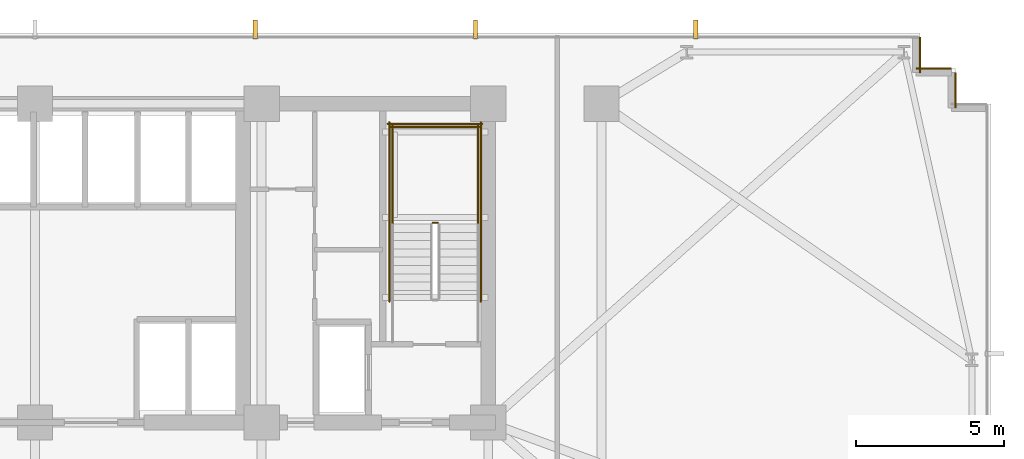
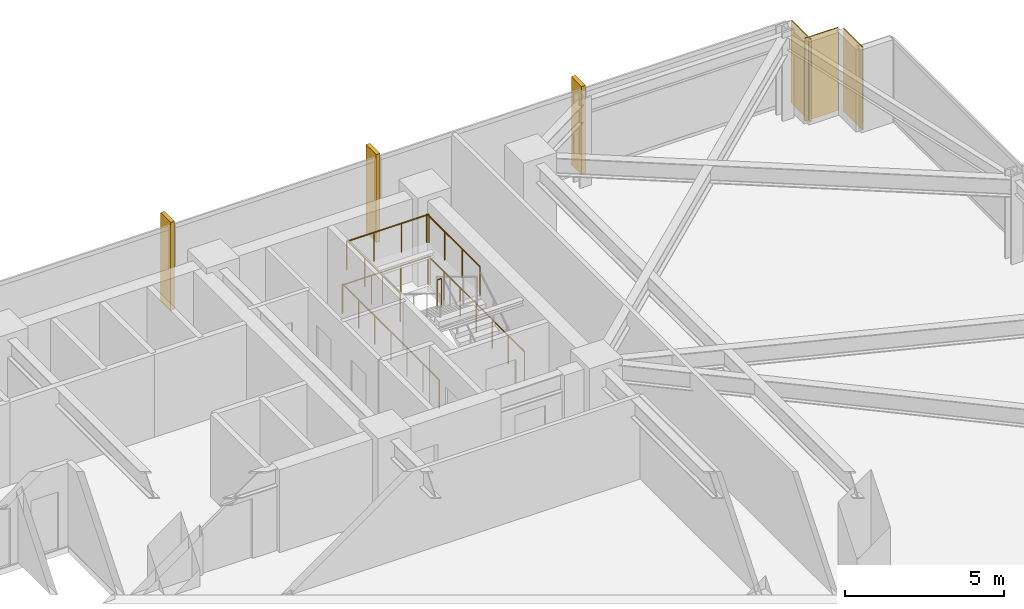
# One storey, part 31 of 32: 7 railings, 3 coverings, 3 shading devices.
"""IFC4 building model written with IfcOpenShell, lengths in metres."""

from ifc_helpers import new_model, si_unit, direction, frame, frame_2d, origin, origin_2d, place, context, subcontext, project, spatial, rectangle, circle, extrude, material, layer, layer_set, type_object, element, save


model = new_model("IFC4")

# Units and contexts
model_context = context("Model", 3, precision=1e-05, world=origin(), true_north=direction((0.0, 1.0)))
body_context = subcontext(model_context, "Body", "Model", "MODEL_VIEW")
ifc_project = project(units=[si_unit("LENGTHUNIT", "METRE"), si_unit("AREAUNIT", "SQUARE_METRE"), si_unit("VOLUMEUNIT", "CUBIC_METRE"), si_unit("PLANEANGLEUNIT", "RADIAN"), si_unit("MASSUNIT", "GRAM", prefix="KILO")], contexts=[model_context])

# Site, building, storey
site_placement = place(None, origin())
site = spatial("IfcSite", under=ifc_project, at=site_placement, CompositionType="ELEMENT")
building_placement = place(site_placement, origin())
building = spatial("IfcBuilding", under=site, at=building_placement, Name="Yelkora Congress Tower", CompositionType="ELEMENT")
storey_placement = place(building_placement, frame((0.0, 0.0, 40.60009765625)))
storey = spatial("IfcBuildingStorey", under=building, at=storey_placement, Name="L09", CompositionType="ELEMENT", Elevation=40.60009765625)

# Coverings
ifc_material_1 = material(Name="Anatolian bush-hammered limestone", Category="masonry")
ifc_layer_1 = layer(ifc_material_1, 0.0400390625)
ifc_layer_set_1 = layer_set([ifc_layer_1], Name="Anatolian bush-hammered limestone")
covering_type = type_object("IfcCoveringType", Name="COV-CLAD-SPANDREL-40", PredefinedType="CLADDING", material=ifc_layer_set_1)
for number, where, z_axis, x_axis, name in (
    (1, (68.39501953125, 48.4599609375, 0.0), (0.0, 0.0, 1.0), (0.0, -1.0, 0.0), "L09 Anatolian Limestone Cladding EW-L09-SR11"),
    (2, (68.260009765625, 47.39501953125, 0.0), (0.0, 0.0, 1.0), (1.0, 0.0, 0.0), "L09 Anatolian Limestone Cladding EW-L09-SR12"),
    (3, (69.594970703125, 47.260009765625, 0.0), (0.0, 0.0, 1.0), (0.0, -1.0, 0.0), "L09 Anatolian Limestone Cladding EW-L09-SR13"),
):
    element("IfcCovering", number, at=place(storey_placement, frame(where, z_axis=z_axis, x_axis=x_axis)), inside=storey, type_object=covering_type, Name=name, PredefinedType="CLADDING", context=body_context, shape_type="SweptSolid", body=[
        extrude(rectangle(XDim=1.199951171875, YDim=0.0400390625, at=frame_2d((0.60009765625, 0.0))), origin(), (0.0, 0.0, 1.0), 3.179931640625),
    ])

# Railings
ifc_material_2 = material(Name="Painted galvanised steel stair well guard with vertical infill", Category="steel")
ifc_layer_2 = layer(ifc_material_2, 0.06005859375)
ifc_layer_set_2 = layer_set([ifc_layer_2], Name="Painted galvanised steel stair well guard with vertical infill")
railing_type = type_object("IfcRailingType", Name="RAIL-STAIR-GUARD-1120", PredefinedType="GUARDRAIL", material=ifc_layer_set_2)
railing_1_placement = place(storey_placement, frame((52.0400390625, 42.169921875, 1.699951171875)))
element("IfcRailing", 4, at=railing_1_placement, inside=storey, type_object=railing_type, Name="ST-02 L09 Stair Well Guardrail 2", PredefinedType="GUARDRAIL", context=body_context, shape_type="SweptSolid", body=[
    extrude(circle(Radius=0.02392578125, at=origin_2d()), frame((0.0, 0.0, 1.09619140625), z_axis=(-1.0, 0.0, 0.0), x_axis=(0.0, -1.0, 0.0)), (0.0, 0.0, 1.0), 0.16015625),
    extrude(circle(Radius=0.02099609375, at=origin_2d()), origin(), (0.0, 0.0, 1.0), 1.072021484375),
    extrude(circle(Radius=0.02099609375, at=origin_2d()), frame((-0.16015625, 0.0, 0.0)), (0.0, 0.0, 1.0), 1.072021484375),
])
for number, where, name in (
    (5, (53.409912109375, 42.1201171875, 1.699951171875), "ST-02 L09 Stair Well Guardrail 3"),
    (6, (50.510009765625, 42.1201171875, 1.699951171875), "ST-02 L09 Stair Well Guardrail 4"),
):
    element("IfcRailing", number, at=place(storey_placement, frame(where)), inside=storey, type_object=railing_type, Name=name, PredefinedType="GUARDRAIL", context=body_context, shape_type="SweptSolid", body=[
        extrude(circle(Radius=0.02392578125, at=origin_2d()), frame((0.0, 0.0, 1.09619140625), z_axis=(0.0, 1.0, 0.0), x_axis=(-1.0, 0.0, 0.0)), (0.0, 0.0, 1.0), 3.349853515625),
        extrude(circle(Radius=0.02099609375, at=origin_2d()), origin(), (0.0, 0.0, 1.0), 1.072021484375),
        extrude(circle(Radius=0.02099609375, at=origin_2d()), frame((0.0, 1.11669921875, 0.0)), (0.0, 0.0, 1.0), 1.072021484375),
        extrude(circle(Radius=0.02099609375, at=origin_2d()), frame((0.0, 2.233154296875, 0.0)), (0.0, 0.0, 1.0), 1.072021484375),
        extrude(circle(Radius=0.02099609375, at=origin_2d()), frame((0.0, 3.349853515625, 0.0)), (0.0, 0.0, 1.0), 1.072021484375),
    ])
railing_2_placement = place(storey_placement, frame((53.4599609375, 45.419921875, 1.699951171875)))
element("IfcRailing", 7, at=railing_2_placement, inside=storey, type_object=railing_type, Name="ST-02 L09 Stair Well Guardrail 5", PredefinedType="GUARDRAIL", context=body_context, shape_type="SweptSolid", body=[
    extrude(circle(Radius=0.02392578125, at=origin_2d()), frame((0.0, 0.0, 1.09619140625), z_axis=(-1.0, 0.0, 0.0), x_axis=(0.0, -1.0, 0.0)), (0.0, 0.0, 1.0), 3.0),
    extrude(circle(Radius=0.02099609375, at=origin_2d()), origin(), (0.0, 0.0, 1.0), 1.072021484375),
    extrude(circle(Radius=0.02099609375, at=origin_2d()), frame((-1.0, 0.0, 0.0)), (0.0, 0.0, 1.0), 1.072021484375),
    extrude(circle(Radius=0.02099609375, at=origin_2d()), frame((-2.0, 0.0, 0.0)), (0.0, 0.0, 1.0), 1.072021484375),
    extrude(circle(Radius=0.02099609375, at=origin_2d()), frame((-3.0, 0.0, 0.0)), (0.0, 0.0, 1.0), 1.072021484375),
])
for number, where, name in (
    (8, (53.510009765625, 39.5, 0.0), "ST-02 L09 Stair Well Guardrail 10"),
    (9, (50.409912109375, 39.5, 0.0), "ST-02 L09 Stair Well Guardrail 11"),
):
    element("IfcRailing", number, at=place(storey_placement, frame(where)), inside=storey, type_object=railing_type, Name=name, PredefinedType="GUARDRAIL", context=body_context, shape_type="SweptSolid", body=[
        extrude(circle(Radius=0.02392578125, at=origin_2d()), frame((0.0, 0.0, 1.09619140625), z_axis=(0.0, 1.0, 0.0), x_axis=(-1.0, 0.0, 0.0)), (0.0, 0.0, 1.0), 6.070068359375),
        extrude(circle(Radius=0.02099609375, at=origin_2d()), origin(), (0.0, 0.0, 1.0), 1.072021484375),
        extrude(circle(Radius=0.02099609375, at=origin_2d()), frame((0.0, 1.01171875, 0.0)), (0.0, 0.0, 1.0), 1.072021484375),
        extrude(circle(Radius=0.02099609375, at=origin_2d()), frame((0.0, 2.0234375, 0.0)), (0.0, 0.0, 1.0), 1.072021484375),
        extrude(circle(Radius=0.02099609375, at=origin_2d()), frame((0.0, 3.03515625, 0.0)), (0.0, 0.0, 1.0), 1.072021484375),
        extrude(circle(Radius=0.02099609375, at=origin_2d()), frame((0.0, 4.046630859375, 0.0)), (0.0, 0.0, 1.0), 1.072021484375),
        extrude(circle(Radius=0.02099609375, at=origin_2d()), frame((0.0, 5.058349609375, 0.0)), (0.0, 0.0, 1.0), 1.072021484375),
        extrude(circle(Radius=0.02099609375, at=origin_2d()), frame((0.0, 6.070068359375, 0.0)), (0.0, 0.0, 1.0), 1.072021484375),
    ])
railing_3_placement = place(storey_placement, frame((53.56005859375, 45.52001953125, 0.0)))
element("IfcRailing", 10, at=railing_3_placement, inside=storey, type_object=railing_type, Name="ST-02 L09 Stair Well Guardrail 12", PredefinedType="GUARDRAIL", context=body_context, shape_type="SweptSolid", body=[
    extrude(circle(Radius=0.02392578125, at=origin_2d()), frame((0.0, 0.0, 1.09619140625), z_axis=(-1.0, 0.0, 0.0), x_axis=(0.0, -1.0, 0.0)), (0.0, 0.0, 1.0), 3.199951171875),
    extrude(circle(Radius=0.02099609375, at=origin_2d()), origin(), (0.0, 0.0, 1.0), 1.072021484375),
    extrude(circle(Radius=0.02099609375, at=origin_2d()), frame((-1.066650390625, 0.0, 0.0)), (0.0, 0.0, 1.0), 1.072021484375),
    extrude(circle(Radius=0.02099609375, at=origin_2d()), frame((-2.13330078125, 0.0, 0.0)), (0.0, 0.0, 1.0), 1.072021484375),
    extrude(circle(Radius=0.02099609375, at=origin_2d()), frame((-3.199951171875, 0.0, 0.0)), (0.0, 0.0, 1.0), 1.072021484375),
])

# Shading devices
ifc_material_3 = material(Name="Champagne anodised aluminium", Category="aluminium")
ifc_layer_3 = layer(ifc_material_3, 3.39990234375)
ifc_layer_set_3 = layer_set([ifc_layer_3], Name="Champagne anodised aluminium")
shading_device_type = type_object("IfcShadingDeviceType", Name="SHD-FIN-ALU-640", PredefinedType="USERDEFINED", material=ifc_layer_set_3)
for number, where, z_axis, x_axis, name in (
    (11, (45.864990234375, 48.719970703125, -0.030029296875), (0.0, 0.0, 1.0), (1.0, 0.0, 0.0), "L09 Vertical Anodised Solar Fin 10-5"),
    (12, (53.330078125, 48.719970703125, -0.030029296875), (0.0, 0.0, 1.0), (1.0, 0.0, 0.0), "L09 Vertical Anodised Solar Fin 10-6"),
    (13, (60.794921875, 48.719970703125, -0.030029296875), (0.0, 0.0, 1.0), (1.0, 0.0, 0.0), "L09 Vertical Anodised Solar Fin 10-7"),
):
    element("IfcShadingDevice", number, at=place(storey_placement, frame(where, z_axis=z_axis, x_axis=x_axis)), inside=storey, type_object=shading_device_type, Name=name, ObjectType="FIN", PredefinedType="USERDEFINED", context=body_context, shape_type="SweptSolid", body=[
        extrude(rectangle(XDim=0.139892578125, YDim=0.639892578125, at=origin_2d()), origin(), (0.0, 0.0, 1.0), 3.3798828125),
    ])

save(model, "model.ifc")
